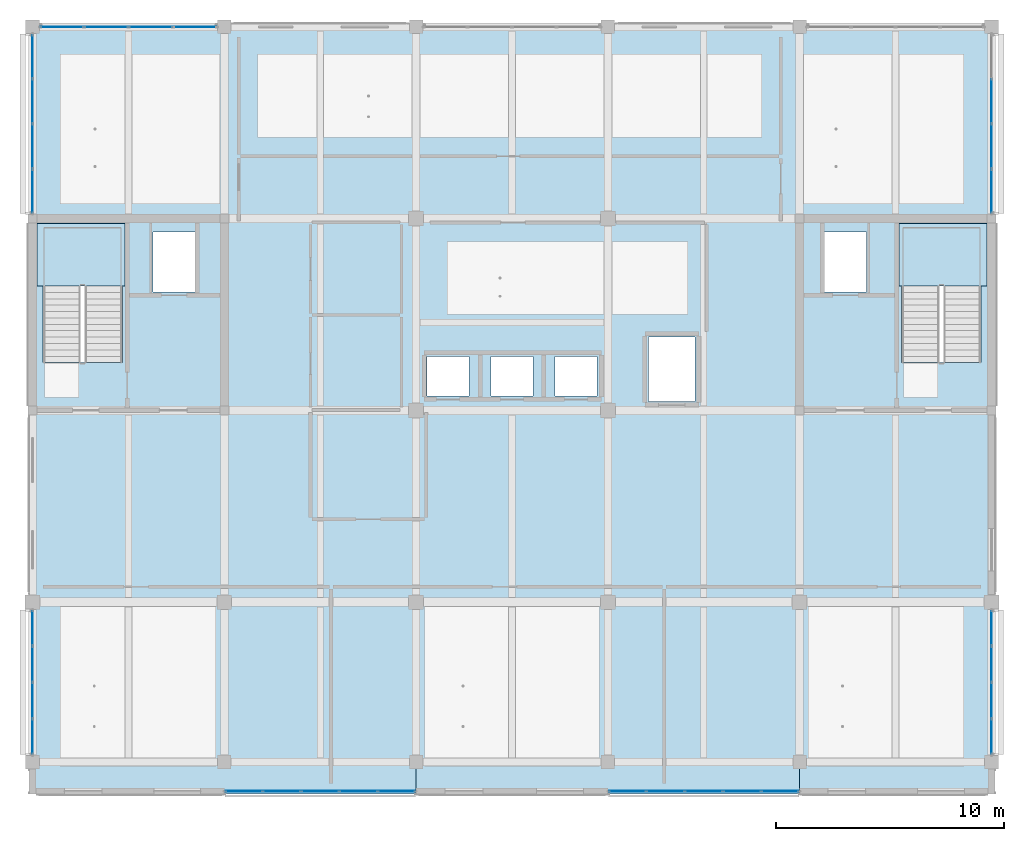
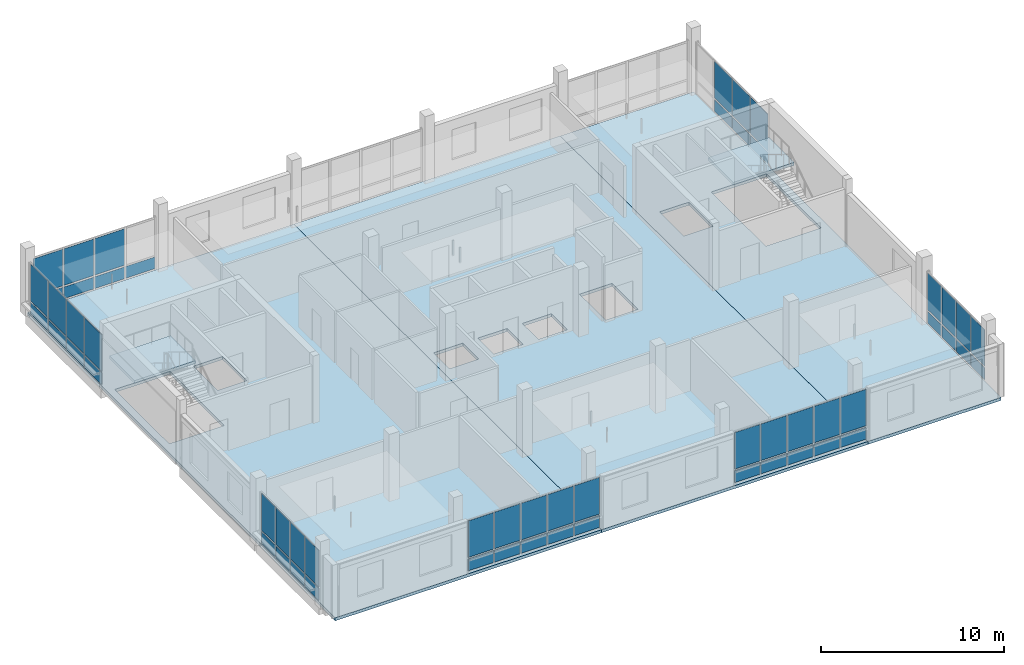
# One storey, part 10 of 29: 57 plates, 5 slabs, 9 elements without a shape of their own.
"""IFC4 building model written with IfcOpenShell, lengths in metres."""

from ifc_helpers import new_model, si_unit, direction, frame, origin, origin_2d, place, context, subcontext, project, spatial, polyline, rectangle, outline, extrude, material, layer, layer_set, type_object, element, aggregate, save


model = new_model("IFC4")

# Units and contexts
model_context = context("Model", 3, precision=1e-05, world=origin(), true_north=direction((0.0, 1.0)))
body_context = subcontext(model_context, "Body", "Model", "MODEL_VIEW")
ifc_project = project(units=[si_unit("LENGTHUNIT", "METRE"), si_unit("AREAUNIT", "SQUARE_METRE"), si_unit("VOLUMEUNIT", "CUBIC_METRE"), si_unit("PLANEANGLEUNIT", "RADIAN"), si_unit("MASSUNIT", "GRAM", prefix="KILO")], contexts=[model_context])

# Site, building, storey
site_placement = place(None, origin())
site = spatial("IfcSite", under=ifc_project, at=site_placement, CompositionType="ELEMENT")
building_placement = place(site_placement, origin())
building = spatial("IfcBuilding", under=site, at=building_placement, Name="Telukmera Botanical Conservatory", CompositionType="ELEMENT")
storey_placement = place(building_placement, frame((0.0, 0.0, 55.5)))
storey = spatial("IfcBuildingStorey", under=building, at=storey_placement, Name="L12", CompositionType="ELEMENT", Elevation=55.5)

# Stair, slab
ifc_material_1 = material(Name="Concrete C40/50", Category="concrete")
stair_type = type_object("IfcStairType", Name="ST-ESC-4500", PredefinedType="HALF_TURN_STAIR", material=ifc_material_1)
stair_1_placement = place(storey_placement, origin())
stair_1 = element("IfcStair", 1, at=stair_1_placement, inside=storey, type_object=stair_type, Name="L12 Protected Escape Stair ST1", PredefinedType="HALF_TURN_STAIR")
ifc_layer_1 = layer(ifc_material_1, 0.199951171875)
ifc_layer_set_1 = layer_set([ifc_layer_1], Name="Concrete C40/50")
slab_type_1 = type_object("IfcSlabType", Name="SL-LAND-200", PredefinedType="LANDING", material=ifc_layer_set_1)
slab_1_placement = place(storey_placement, frame((0.0, 0.0, 2.050048828125)))
slab_1 = element("IfcSlab", 2, at=slab_1_placement, type_object=slab_type_1, Name="ST1 landing 1", PredefinedType="LANDING", context=body_context, shape_type="SweptSolid", body=[
    extrude(outline(polyline([(59.0048828125, 31.449951171875), (62.844970703125, 31.449951171875), (62.844970703125, 34.195068359375), (59.0048828125, 34.195068359375), (59.0048828125, 31.449951171875)])), origin(), (0.0, 0.0, 1.0), 0.199951171875),
])
aggregate(stair_1, [slab_1])

stair_2_placement = place(storey_placement, origin())
stair_2 = element("IfcStair", 3, at=stair_2_placement, inside=storey, type_object=stair_type, Name="L12 Protected Escape Stair ST2", PredefinedType="HALF_TURN_STAIR")
slab_2_placement = place(storey_placement, frame((0.0, 0.0, 2.050048828125)))
slab_2 = element("IfcSlab", 4, at=slab_2_placement, type_object=slab_type_1, Name="ST2 landing 1", PredefinedType="LANDING", context=body_context, shape_type="SweptSolid", body=[
    extrude(outline(polyline([(96.7548828125, 31.449951171875), (100.594970703125, 31.449951171875), (100.594970703125, 34.195068359375), (96.7548828125, 34.195068359375), (96.7548828125, 31.449951171875)])), origin(), (0.0, 0.0, 1.0), 0.199951171875),
])
aggregate(stair_2, [slab_2])

# Slabs
ifc_layer_2 = layer(ifc_material_1, 0.199951171875)
ifc_layer_set_2 = layer_set([ifc_layer_2], Name="Concrete C40/50")
slab_type_2 = type_object("IfcSlabType", Name="Slab_FS20", PredefinedType="FLOOR", material=ifc_layer_set_2)
slab_3_placement = place(storey_placement, frame((0.0, 0.0, -0.199951171875)))
element("IfcSlab", 5, at=slab_3_placement, inside=storey, type_object=slab_type_2, Name="Tower Floor Slab L12 (WEST)", PredefinedType="FLOOR", context=body_context, shape_type="SweptSolid", body=[
    extrude(outline(polyline([(58.800048828125, 9.199951171875), (75.60009765625, 9.199951171875), (75.60009765625, 42.800048828125), (58.800048828125, 42.800048828125), (58.800048828125, 9.199951171875)]), holes=[polyline([(62.72998046875, 28.093017578125), (62.72998046875, 34.050048828125), (59.25, 34.050048828125), (59.25, 28.093017578125), (62.72998046875, 28.093017578125)]), polyline([(64.080078125, 31.179931640625), (65.919921875, 31.179931640625), (65.919921875, 33.820068359375), (64.080078125, 33.820068359375), (64.080078125, 31.179931640625)])]), origin(), (0.0, 0.0, 1.0), 0.199951171875),
])
slab_4_placement = place(storey_placement, frame((0.0, 0.0, -0.199951171875)))
element("IfcSlab", 6, at=slab_4_placement, inside=storey, type_object=slab_type_2, Name="Tower Floor Slab L12 (CENT)", PredefinedType="FLOOR", context=body_context, shape_type="SweptSolid", body=[
    extrude(outline(polyline([(75.60009765625, 9.199951171875), (92.39990234375, 9.199951171875), (92.39990234375, 42.800048828125), (75.60009765625, 42.800048828125), (75.60009765625, 9.199951171875)]), holes=[polyline([(85.780029296875, 26.3798828125), (87.820068359375, 26.3798828125), (87.820068359375, 29.219970703125), (85.780029296875, 29.219970703125), (85.780029296875, 26.3798828125)]), polyline([(76.080078125, 26.6298828125), (77.919921875, 26.6298828125), (77.919921875, 28.3701171875), (76.080078125, 28.3701171875), (76.080078125, 26.6298828125)]), polyline([(78.8798828125, 26.6298828125), (80.719970703125, 26.6298828125), (80.719970703125, 28.3701171875), (78.8798828125, 28.3701171875), (78.8798828125, 26.6298828125)]), polyline([(81.679931640625, 26.6298828125), (83.52001953125, 26.6298828125), (83.52001953125, 28.3701171875), (81.679931640625, 28.3701171875), (81.679931640625, 26.6298828125)])]), origin(), (0.0, 0.0, 1.0), 0.199951171875),
])
slab_5_placement = place(storey_placement, frame((0.0, 0.0, -0.199951171875)))
element("IfcSlab", 7, at=slab_5_placement, inside=storey, type_object=slab_type_2, Name="Tower Floor Slab L12 (EAST)", PredefinedType="FLOOR", context=body_context, shape_type="SweptSolid", body=[
    extrude(outline(polyline([(92.39990234375, 9.199951171875), (100.800048828125, 9.199951171875), (100.800048828125, 42.800048828125), (92.39990234375, 42.800048828125), (92.39990234375, 9.199951171875)]), holes=[polyline([(100.35009765625, 28.093017578125), (100.35009765625, 34.050048828125), (96.8701171875, 34.050048828125), (96.8701171875, 28.093017578125), (100.35009765625, 28.093017578125)]), polyline([(93.47998046875, 31.179931640625), (95.320068359375, 31.179931640625), (95.320068359375, 33.820068359375), (93.47998046875, 33.820068359375), (93.47998046875, 31.179931640625)])]), origin(), (0.0, 0.0, 1.0), 0.199951171875),
])

# Curtain wall, plates
ifc_material_2 = material(Name="Anodised aluminium 6063-T6", Category="aluminium")
ifc_layer_3 = layer(ifc_material_2, 0.179931640625)
ifc_layer_set_3 = layer_set([ifc_layer_3], Name="Anodised aluminium 6063-T6")
curtain_wall_type = type_object("IfcCurtainWallType", Name="Tower Research Laboratory Unitised Curtain Wall", PredefinedType="USERDEFINED", material=ifc_layer_set_3)
curtain_wall_1_placement = place(storey_placement, origin())
curtain_wall_1 = element("IfcCurtainWall", 8, at=curtain_wall_1_placement, inside=storey, type_object=curtain_wall_type, Name="Unitised Curtain Wall CW15 V4:L12:S2", ObjectType="UNITISED CURTAIN WALL", PredefinedType="USERDEFINED")
ifc_material_3 = material(Name="Spectrally selective low-E double glazing", Category="glass")
ifc_layer_4 = layer(ifc_material_3, 0.028076171875)
ifc_layer_set_4 = layer_set([ifc_layer_4], Name="Spectrally selective low-E double glazing")
plate_type = type_object("IfcPlateType", Name="Spectrally Selective Vision Double Glazing Panel 28", PredefinedType="CURTAIN_PANEL", material=ifc_layer_set_4)
plate_1_placement = place(storey_placement, frame((68.056640625, 9.320068359375, 0.10986328125), z_axis=(0.0, 0.0, 1.0), x_axis=(1.0, 0.0, 0.0)))
plate_1 = element("IfcPlate", 9, at=plate_1_placement, type_object=plate_type, Name="CW15 panel 1.1", PredefinedType="CURTAIN_PANEL", context=body_context, shape_type="SweptSolid", body=[
    extrude(rectangle(XDim=1.589111328125, YDim=0.028076171875, at=origin_2d()), origin(), (0.0, 0.0, 1.0), 0.784912109375),
])
plate_2_placement = place(storey_placement, frame((68.056640625, 9.320068359375, 1.0048828125), z_axis=(0.0, 0.0, 1.0), x_axis=(1.0, 0.0, 0.0)))
plate_2 = element("IfcPlate", 10, at=plate_2_placement, type_object=plate_type, Name="CW15 panel 1.2", PredefinedType="CURTAIN_PANEL", context=body_context, shape_type="SweptSolid", body=[
    extrude(rectangle(XDim=1.589111328125, YDim=0.028076171875, at=origin_2d()), origin(), (0.0, 0.0, 1.0), 2.43505859375),
])
plate_3_placement = place(storey_placement, frame((69.720703125, 9.320068359375, 0.10986328125), z_axis=(0.0, 0.0, 1.0), x_axis=(1.0, 0.0, 0.0)))
plate_3 = element("IfcPlate", 11, at=plate_3_placement, type_object=plate_type, Name="CW15 panel 2.1", PredefinedType="CURTAIN_PANEL", context=body_context, shape_type="SweptSolid", body=[
    extrude(rectangle(XDim=1.619140625, YDim=0.028076171875, at=origin_2d()), origin(), (0.0, 0.0, 1.0), 0.784912109375),
])
plate_4_placement = place(storey_placement, frame((69.720703125, 9.320068359375, 1.0048828125), z_axis=(0.0, 0.0, 1.0), x_axis=(1.0, 0.0, 0.0)))
plate_4 = element("IfcPlate", 12, at=plate_4_placement, type_object=plate_type, Name="CW15 panel 2.2", PredefinedType="CURTAIN_PANEL", context=body_context, shape_type="SweptSolid", body=[
    extrude(rectangle(XDim=1.619140625, YDim=0.028076171875, at=origin_2d()), origin(), (0.0, 0.0, 1.0), 2.43505859375),
])
plate_5_placement = place(storey_placement, frame((71.39990234375, 9.320068359375, 0.10986328125), z_axis=(0.0, 0.0, 1.0), x_axis=(1.0, 0.0, 0.0)))
plate_5 = element("IfcPlate", 13, at=plate_5_placement, type_object=plate_type, Name="CW15 panel 3.1", PredefinedType="CURTAIN_PANEL", context=body_context, shape_type="SweptSolid", body=[
    extrude(rectangle(XDim=1.619140625, YDim=0.028076171875, at=origin_2d()), origin(), (0.0, 0.0, 1.0), 0.784912109375),
])
plate_6_placement = place(storey_placement, frame((71.39990234375, 9.320068359375, 1.0048828125), z_axis=(0.0, 0.0, 1.0), x_axis=(1.0, 0.0, 0.0)))
plate_6 = element("IfcPlate", 14, at=plate_6_placement, type_object=plate_type, Name="CW15 panel 3.2", PredefinedType="CURTAIN_PANEL", context=body_context, shape_type="SweptSolid", body=[
    extrude(rectangle(XDim=1.619140625, YDim=0.028076171875, at=origin_2d()), origin(), (0.0, 0.0, 1.0), 2.43505859375),
])
plate_7_placement = place(storey_placement, frame((73.0791015625, 9.320068359375, 0.10986328125), z_axis=(0.0, 0.0, 1.0), x_axis=(1.0, 0.0, 0.0)))
plate_7 = element("IfcPlate", 15, at=plate_7_placement, type_object=plate_type, Name="CW15 panel 4.1", PredefinedType="CURTAIN_PANEL", context=body_context, shape_type="SweptSolid", body=[
    extrude(rectangle(XDim=1.619140625, YDim=0.028076171875, at=origin_2d()), origin(), (0.0, 0.0, 1.0), 0.784912109375),
])
plate_8_placement = place(storey_placement, frame((73.0791015625, 9.320068359375, 1.0048828125), z_axis=(0.0, 0.0, 1.0), x_axis=(1.0, 0.0, 0.0)))
plate_8 = element("IfcPlate", 16, at=plate_8_placement, type_object=plate_type, Name="CW15 panel 4.2", PredefinedType="CURTAIN_PANEL", context=body_context, shape_type="SweptSolid", body=[
    extrude(rectangle(XDim=1.619140625, YDim=0.028076171875, at=origin_2d()), origin(), (0.0, 0.0, 1.0), 2.43505859375),
])
plate_9_placement = place(storey_placement, frame((74.743408203125, 9.320068359375, 0.10986328125), z_axis=(0.0, 0.0, 1.0), x_axis=(1.0, 0.0, 0.0)))
plate_9 = element("IfcPlate", 17, at=plate_9_placement, type_object=plate_type, Name="CW15 panel 5.1", PredefinedType="CURTAIN_PANEL", context=body_context, shape_type="SweptSolid", body=[
    extrude(rectangle(XDim=1.589111328125, YDim=0.028076171875, at=origin_2d()), origin(), (0.0, 0.0, 1.0), 0.784912109375),
])
plate_10_placement = place(storey_placement, frame((74.743408203125, 9.320068359375, 1.0048828125), z_axis=(0.0, 0.0, 1.0), x_axis=(1.0, 0.0, 0.0)))
plate_10 = element("IfcPlate", 18, at=plate_10_placement, type_object=plate_type, Name="CW15 panel 5.2", PredefinedType="CURTAIN_PANEL", context=body_context, shape_type="SweptSolid", body=[
    extrude(rectangle(XDim=1.589111328125, YDim=0.028076171875, at=origin_2d()), origin(), (0.0, 0.0, 1.0), 2.43505859375),
])
aggregate(curtain_wall_1, [plate_1, plate_2, plate_3, plate_4, plate_5, plate_6, plate_7, plate_8, plate_9, plate_10])

curtain_wall_2_placement = place(storey_placement, origin())
curtain_wall_2 = element("IfcCurtainWall", 19, at=curtain_wall_2_placement, inside=storey, type_object=curtain_wall_type, Name="Unitised Curtain Wall CW15 V4:L12:S4", ObjectType="UNITISED CURTAIN WALL", PredefinedType="USERDEFINED")
plate_11_placement = place(storey_placement, frame((84.856689453125, 9.320068359375, 0.10986328125), z_axis=(0.0, 0.0, 1.0), x_axis=(1.0, 0.0, 0.0)))
plate_11 = element("IfcPlate", 20, at=plate_11_placement, type_object=plate_type, Name="CW15 panel 1.1", PredefinedType="CURTAIN_PANEL", context=body_context, shape_type="SweptSolid", body=[
    extrude(rectangle(XDim=1.589111328125, YDim=0.028076171875, at=origin_2d()), origin(), (0.0, 0.0, 1.0), 0.784912109375),
])
plate_12_placement = place(storey_placement, frame((84.856689453125, 9.320068359375, 1.0048828125), z_axis=(0.0, 0.0, 1.0), x_axis=(1.0, 0.0, 0.0)))
plate_12 = element("IfcPlate", 21, at=plate_12_placement, type_object=plate_type, Name="CW15 panel 1.2", PredefinedType="CURTAIN_PANEL", context=body_context, shape_type="SweptSolid", body=[
    extrude(rectangle(XDim=1.589111328125, YDim=0.028076171875, at=origin_2d()), origin(), (0.0, 0.0, 1.0), 2.43505859375),
])
plate_13_placement = place(storey_placement, frame((86.520751953125, 9.320068359375, 0.10986328125), z_axis=(0.0, 0.0, 1.0), x_axis=(1.0, 0.0, 0.0)))
plate_13 = element("IfcPlate", 22, at=plate_13_placement, type_object=plate_type, Name="CW15 panel 2.1", PredefinedType="CURTAIN_PANEL", context=body_context, shape_type="SweptSolid", body=[
    extrude(rectangle(XDim=1.619140625, YDim=0.028076171875, at=origin_2d()), origin(), (0.0, 0.0, 1.0), 0.784912109375),
])
plate_14_placement = place(storey_placement, frame((86.520751953125, 9.320068359375, 1.0048828125), z_axis=(0.0, 0.0, 1.0), x_axis=(1.0, 0.0, 0.0)))
plate_14 = element("IfcPlate", 23, at=plate_14_placement, type_object=plate_type, Name="CW15 panel 2.2", PredefinedType="CURTAIN_PANEL", context=body_context, shape_type="SweptSolid", body=[
    extrude(rectangle(XDim=1.619140625, YDim=0.028076171875, at=origin_2d()), origin(), (0.0, 0.0, 1.0), 2.43505859375),
])
plate_15_placement = place(storey_placement, frame((88.199951171875, 9.320068359375, 0.10986328125), z_axis=(0.0, 0.0, 1.0), x_axis=(1.0, 0.0, 0.0)))
plate_15 = element("IfcPlate", 24, at=plate_15_placement, type_object=plate_type, Name="CW15 panel 3.1", PredefinedType="CURTAIN_PANEL", context=body_context, shape_type="SweptSolid", body=[
    extrude(rectangle(XDim=1.619140625, YDim=0.028076171875, at=origin_2d()), origin(), (0.0, 0.0, 1.0), 0.784912109375),
])
plate_16_placement = place(storey_placement, frame((88.199951171875, 9.320068359375, 1.0048828125), z_axis=(0.0, 0.0, 1.0), x_axis=(1.0, 0.0, 0.0)))
plate_16 = element("IfcPlate", 25, at=plate_16_placement, type_object=plate_type, Name="CW15 panel 3.2", PredefinedType="CURTAIN_PANEL", context=body_context, shape_type="SweptSolid", body=[
    extrude(rectangle(XDim=1.619140625, YDim=0.028076171875, at=origin_2d()), origin(), (0.0, 0.0, 1.0), 2.43505859375),
])
plate_17_placement = place(storey_placement, frame((89.879150390625, 9.320068359375, 0.10986328125), z_axis=(0.0, 0.0, 1.0), x_axis=(1.0, 0.0, 0.0)))
plate_17 = element("IfcPlate", 26, at=plate_17_placement, type_object=plate_type, Name="CW15 panel 4.1", PredefinedType="CURTAIN_PANEL", context=body_context, shape_type="SweptSolid", body=[
    extrude(rectangle(XDim=1.619140625, YDim=0.028076171875, at=origin_2d()), origin(), (0.0, 0.0, 1.0), 0.784912109375),
])
plate_18_placement = place(storey_placement, frame((89.879150390625, 9.320068359375, 1.0048828125), z_axis=(0.0, 0.0, 1.0), x_axis=(1.0, 0.0, 0.0)))
plate_18 = element("IfcPlate", 27, at=plate_18_placement, type_object=plate_type, Name="CW15 panel 4.2", PredefinedType="CURTAIN_PANEL", context=body_context, shape_type="SweptSolid", body=[
    extrude(rectangle(XDim=1.619140625, YDim=0.028076171875, at=origin_2d()), origin(), (0.0, 0.0, 1.0), 2.43505859375),
])
plate_19_placement = place(storey_placement, frame((91.54345703125, 9.320068359375, 0.10986328125), z_axis=(0.0, 0.0, 1.0), x_axis=(1.0, 0.0, 0.0)))
plate_19 = element("IfcPlate", 28, at=plate_19_placement, type_object=plate_type, Name="CW15 panel 5.1", PredefinedType="CURTAIN_PANEL", context=body_context, shape_type="SweptSolid", body=[
    extrude(rectangle(XDim=1.589111328125, YDim=0.028076171875, at=origin_2d()), origin(), (0.0, 0.0, 1.0), 0.784912109375),
])
plate_20_placement = place(storey_placement, frame((91.54345703125, 9.320068359375, 1.0048828125), z_axis=(0.0, 0.0, 1.0), x_axis=(1.0, 0.0, 0.0)))
plate_20 = element("IfcPlate", 29, at=plate_20_placement, type_object=plate_type, Name="CW15 panel 5.2", PredefinedType="CURTAIN_PANEL", context=body_context, shape_type="SweptSolid", body=[
    extrude(rectangle(XDim=1.589111328125, YDim=0.028076171875, at=origin_2d()), origin(), (0.0, 0.0, 1.0), 2.43505859375),
])
aggregate(curtain_wall_2, [plate_11, plate_12, plate_13, plate_14, plate_15, plate_16, plate_17, plate_18, plate_19, plate_20])

curtain_wall_3_placement = place(storey_placement, origin())
curtain_wall_3 = element("IfcCurtainWall", 30, at=curtain_wall_3_placement, inside=storey, type_object=curtain_wall_type, Name="Unitised Curtain Wall CW15 V4:L12:N1", ObjectType="UNITISED CURTAIN WALL", PredefinedType="USERDEFINED")
plate_21_placement = place(storey_placement, frame((60.091552734375, 42.800048828125, 0.10986328125), z_axis=(0.0, 0.0, 1.0), x_axis=(1.0, 0.0, 0.0)))
plate_21 = element("IfcPlate", 31, at=plate_21_placement, type_object=plate_type, Name="CW15 panel 1.1", PredefinedType="CURTAIN_PANEL", context=body_context, shape_type="SweptSolid", body=[
    extrude(rectangle(XDim=1.85888671875, YDim=0.028076171875, at=origin_2d()), origin(), (0.0, 0.0, 1.0), 0.784912109375),
])
plate_22_placement = place(storey_placement, frame((60.091552734375, 42.800048828125, 1.0048828125), z_axis=(0.0, 0.0, 1.0), x_axis=(1.0, 0.0, 0.0)))
plate_22 = element("IfcPlate", 32, at=plate_22_placement, type_object=plate_type, Name="CW15 panel 1.2", PredefinedType="CURTAIN_PANEL", context=body_context, shape_type="SweptSolid", body=[
    extrude(rectangle(XDim=1.85888671875, YDim=0.028076171875, at=origin_2d()), origin(), (0.0, 0.0, 1.0), 2.43505859375),
])
plate_23_placement = place(storey_placement, frame((62.025390625, 42.800048828125, 0.10986328125), z_axis=(0.0, 0.0, 1.0), x_axis=(1.0, 0.0, 0.0)))
plate_23 = element("IfcPlate", 33, at=plate_23_placement, type_object=plate_type, Name="CW15 panel 2.1", PredefinedType="CURTAIN_PANEL", context=body_context, shape_type="SweptSolid", body=[
    extrude(rectangle(XDim=1.888916015625, YDim=0.028076171875, at=origin_2d()), origin(), (0.0, 0.0, 1.0), 0.784912109375),
])
plate_24_placement = place(storey_placement, frame((62.025390625, 42.800048828125, 1.0048828125), z_axis=(0.0, 0.0, 1.0), x_axis=(1.0, 0.0, 0.0)))
plate_24 = element("IfcPlate", 34, at=plate_24_placement, type_object=plate_type, Name="CW15 panel 2.2", PredefinedType="CURTAIN_PANEL", context=body_context, shape_type="SweptSolid", body=[
    extrude(rectangle(XDim=1.888916015625, YDim=0.028076171875, at=origin_2d()), origin(), (0.0, 0.0, 1.0), 2.43505859375),
])
plate_25_placement = place(storey_placement, frame((63.974609375, 42.800048828125, 0.10986328125), z_axis=(0.0, 0.0, 1.0), x_axis=(1.0, 0.0, 0.0)))
plate_25 = element("IfcPlate", 35, at=plate_25_placement, type_object=plate_type, Name="CW15 panel 3.1", PredefinedType="CURTAIN_PANEL", context=body_context, shape_type="SweptSolid", body=[
    extrude(rectangle(XDim=1.888916015625, YDim=0.028076171875, at=origin_2d()), origin(), (0.0, 0.0, 1.0), 0.784912109375),
])
plate_26_placement = place(storey_placement, frame((63.974609375, 42.800048828125, 1.0048828125), z_axis=(0.0, 0.0, 1.0), x_axis=(1.0, 0.0, 0.0)))
plate_26 = element("IfcPlate", 36, at=plate_26_placement, type_object=plate_type, Name="CW15 panel 3.2", PredefinedType="CURTAIN_PANEL", context=body_context, shape_type="SweptSolid", body=[
    extrude(rectangle(XDim=1.888916015625, YDim=0.028076171875, at=origin_2d()), origin(), (0.0, 0.0, 1.0), 2.43505859375),
])
plate_27_placement = place(storey_placement, frame((65.908447265625, 42.800048828125, 0.10986328125), z_axis=(0.0, 0.0, 1.0), x_axis=(1.0, 0.0, 0.0)))
plate_27 = element("IfcPlate", 37, at=plate_27_placement, type_object=plate_type, Name="CW15 panel 4.1", PredefinedType="CURTAIN_PANEL", context=body_context, shape_type="SweptSolid", body=[
    extrude(rectangle(XDim=1.85888671875, YDim=0.028076171875, at=origin_2d()), origin(), (0.0, 0.0, 1.0), 0.784912109375),
])
aggregate(curtain_wall_3, [plate_21, plate_22, plate_23, plate_24, plate_25, plate_26, plate_27])

curtain_wall_4_placement = place(storey_placement, origin())
curtain_wall_4 = element("IfcCurtainWall", 38, at=curtain_wall_4_placement, inside=storey, type_object=curtain_wall_type, Name="Unitised Curtain Wall CW15 V4:L12:W1", ObjectType="UNITISED CURTAIN WALL", PredefinedType="USERDEFINED")
plate_28_placement = place(storey_placement, frame((58.800048828125, 11.71337890625, 0.10986328125), z_axis=(0.0, 0.0, 1.0), x_axis=(0.0, 1.0, 0.0)))
plate_28 = element("IfcPlate", 39, at=plate_28_placement, type_object=plate_type, Name="CW15 panel 1.1", PredefinedType="CURTAIN_PANEL", context=body_context, shape_type="SweptSolid", body=[
    extrude(rectangle(XDim=1.502685546875, YDim=0.028076171875, at=origin_2d()), origin(), (0.0, 0.0, 1.0), 0.784912109375),
])
plate_29_placement = place(storey_placement, frame((58.800048828125, 11.71337890625, 1.0048828125), z_axis=(0.0, 0.0, 1.0), x_axis=(0.0, 1.0, 0.0)))
plate_29 = element("IfcPlate", 40, at=plate_29_placement, type_object=plate_type, Name="CW15 panel 1.2", PredefinedType="CURTAIN_PANEL", context=body_context, shape_type="SweptSolid", body=[
    extrude(rectangle(XDim=1.502685546875, YDim=0.028076171875, at=origin_2d()), origin(), (0.0, 0.0, 1.0), 2.43505859375),
])
plate_30_placement = place(storey_placement, frame((58.800048828125, 13.291015625, 0.10986328125), z_axis=(0.0, 0.0, 1.0), x_axis=(0.0, 1.0, 0.0)))
plate_30 = element("IfcPlate", 41, at=plate_30_placement, type_object=plate_type, Name="CW15 panel 2.1", PredefinedType="CURTAIN_PANEL", context=body_context, shape_type="SweptSolid", body=[
    extrude(rectangle(XDim=1.53271484375, YDim=0.028076171875, at=origin_2d()), origin(), (0.0, 0.0, 1.0), 0.784912109375),
])
plate_31_placement = place(storey_placement, frame((58.800048828125, 13.291015625, 1.0048828125), z_axis=(0.0, 0.0, 1.0), x_axis=(0.0, 1.0, 0.0)))
plate_31 = element("IfcPlate", 42, at=plate_31_placement, type_object=plate_type, Name="CW15 panel 2.2", PredefinedType="CURTAIN_PANEL", context=body_context, shape_type="SweptSolid", body=[
    extrude(rectangle(XDim=1.53271484375, YDim=0.028076171875, at=origin_2d()), origin(), (0.0, 0.0, 1.0), 2.43505859375),
])
plate_32_placement = place(storey_placement, frame((58.800048828125, 14.8837890625, 0.10986328125), z_axis=(0.0, 0.0, 1.0), x_axis=(0.0, 1.0, 0.0)))
plate_32 = element("IfcPlate", 43, at=plate_32_placement, type_object=plate_type, Name="CW15 panel 3.1", PredefinedType="CURTAIN_PANEL", context=body_context, shape_type="SweptSolid", body=[
    extrude(rectangle(XDim=1.53271484375, YDim=0.028076171875, at=origin_2d()), origin(), (0.0, 0.0, 1.0), 0.784912109375),
])
plate_33_placement = place(storey_placement, frame((58.800048828125, 14.8837890625, 1.0048828125), z_axis=(0.0, 0.0, 1.0), x_axis=(0.0, 1.0, 0.0)))
plate_33 = element("IfcPlate", 44, at=plate_33_placement, type_object=plate_type, Name="CW15 panel 3.2", PredefinedType="CURTAIN_PANEL", context=body_context, shape_type="SweptSolid", body=[
    extrude(rectangle(XDim=1.53271484375, YDim=0.028076171875, at=origin_2d()), origin(), (0.0, 0.0, 1.0), 2.43505859375),
])
plate_34_placement = place(storey_placement, frame((58.800048828125, 16.461669921875, 0.10986328125), z_axis=(0.0, 0.0, 1.0), x_axis=(0.0, 1.0, 0.0)))
plate_34 = element("IfcPlate", 45, at=plate_34_placement, type_object=plate_type, Name="CW15 panel 4.1", PredefinedType="CURTAIN_PANEL", context=body_context, shape_type="SweptSolid", body=[
    extrude(rectangle(XDim=1.502685546875, YDim=0.028076171875, at=origin_2d()), origin(), (0.0, 0.0, 1.0), 0.784912109375),
])
plate_35_placement = place(storey_placement, frame((58.800048828125, 16.461669921875, 1.0048828125), z_axis=(0.0, 0.0, 1.0), x_axis=(0.0, 1.0, 0.0)))
plate_35 = element("IfcPlate", 46, at=plate_35_placement, type_object=plate_type, Name="CW15 panel 4.2", PredefinedType="CURTAIN_PANEL", context=body_context, shape_type="SweptSolid", body=[
    extrude(rectangle(XDim=1.502685546875, YDim=0.028076171875, at=origin_2d()), origin(), (0.0, 0.0, 1.0), 2.43505859375),
])
aggregate(curtain_wall_4, [plate_28, plate_29, plate_30, plate_31, plate_32, plate_33, plate_34, plate_35])

curtain_wall_5_placement = place(storey_placement, origin())
curtain_wall_5 = element("IfcCurtainWall", 47, at=curtain_wall_5_placement, inside=storey, type_object=curtain_wall_type, Name="Unitised Curtain Wall CW15 V4:L12:E1", ObjectType="UNITISED CURTAIN WALL", PredefinedType="USERDEFINED")
plate_36_placement = place(storey_placement, frame((100.800048828125, 11.71337890625, 0.10986328125), z_axis=(0.0, 0.0, 1.0), x_axis=(0.0, 1.0, 0.0)))
plate_36 = element("IfcPlate", 48, at=plate_36_placement, type_object=plate_type, Name="CW15 panel 1.1", PredefinedType="CURTAIN_PANEL", context=body_context, shape_type="SweptSolid", body=[
    extrude(rectangle(XDim=1.502685546875, YDim=0.028076171875, at=origin_2d()), origin(), (0.0, 0.0, 1.0), 0.784912109375),
])
plate_37_placement = place(storey_placement, frame((100.800048828125, 11.71337890625, 1.0048828125), z_axis=(0.0, 0.0, 1.0), x_axis=(0.0, 1.0, 0.0)))
plate_37 = element("IfcPlate", 49, at=plate_37_placement, type_object=plate_type, Name="CW15 panel 1.2", PredefinedType="CURTAIN_PANEL", context=body_context, shape_type="SweptSolid", body=[
    extrude(rectangle(XDim=1.502685546875, YDim=0.028076171875, at=origin_2d()), origin(), (0.0, 0.0, 1.0), 2.43505859375),
])
plate_38_placement = place(storey_placement, frame((100.800048828125, 13.291015625, 0.10986328125), z_axis=(0.0, 0.0, 1.0), x_axis=(0.0, 1.0, 0.0)))
plate_38 = element("IfcPlate", 50, at=plate_38_placement, type_object=plate_type, Name="CW15 panel 2.1", PredefinedType="CURTAIN_PANEL", context=body_context, shape_type="SweptSolid", body=[
    extrude(rectangle(XDim=1.53271484375, YDim=0.028076171875, at=origin_2d()), origin(), (0.0, 0.0, 1.0), 0.784912109375),
])
plate_39_placement = place(storey_placement, frame((100.800048828125, 13.291015625, 1.0048828125), z_axis=(0.0, 0.0, 1.0), x_axis=(0.0, 1.0, 0.0)))
plate_39 = element("IfcPlate", 51, at=plate_39_placement, type_object=plate_type, Name="CW15 panel 2.2", PredefinedType="CURTAIN_PANEL", context=body_context, shape_type="SweptSolid", body=[
    extrude(rectangle(XDim=1.53271484375, YDim=0.028076171875, at=origin_2d()), origin(), (0.0, 0.0, 1.0), 2.43505859375),
])
plate_40_placement = place(storey_placement, frame((100.800048828125, 14.8837890625, 0.10986328125), z_axis=(0.0, 0.0, 1.0), x_axis=(0.0, 1.0, 0.0)))
plate_40 = element("IfcPlate", 52, at=plate_40_placement, type_object=plate_type, Name="CW15 panel 3.1", PredefinedType="CURTAIN_PANEL", context=body_context, shape_type="SweptSolid", body=[
    extrude(rectangle(XDim=1.53271484375, YDim=0.028076171875, at=origin_2d()), origin(), (0.0, 0.0, 1.0), 0.784912109375),
])
plate_41_placement = place(storey_placement, frame((100.800048828125, 14.8837890625, 1.0048828125), z_axis=(0.0, 0.0, 1.0), x_axis=(0.0, 1.0, 0.0)))
plate_41 = element("IfcPlate", 53, at=plate_41_placement, type_object=plate_type, Name="CW15 panel 3.2", PredefinedType="CURTAIN_PANEL", context=body_context, shape_type="SweptSolid", body=[
    extrude(rectangle(XDim=1.53271484375, YDim=0.028076171875, at=origin_2d()), origin(), (0.0, 0.0, 1.0), 2.43505859375),
])
plate_42_placement = place(storey_placement, frame((100.800048828125, 16.461669921875, 0.10986328125), z_axis=(0.0, 0.0, 1.0), x_axis=(0.0, 1.0, 0.0)))
plate_42 = element("IfcPlate", 54, at=plate_42_placement, type_object=plate_type, Name="CW15 panel 4.1", PredefinedType="CURTAIN_PANEL", context=body_context, shape_type="SweptSolid", body=[
    extrude(rectangle(XDim=1.502685546875, YDim=0.028076171875, at=origin_2d()), origin(), (0.0, 0.0, 1.0), 0.784912109375),
])
plate_43_placement = place(storey_placement, frame((100.800048828125, 16.461669921875, 1.0048828125), z_axis=(0.0, 0.0, 1.0), x_axis=(0.0, 1.0, 0.0)))
plate_43 = element("IfcPlate", 55, at=plate_43_placement, type_object=plate_type, Name="CW15 panel 4.2", PredefinedType="CURTAIN_PANEL", context=body_context, shape_type="SweptSolid", body=[
    extrude(rectangle(XDim=1.502685546875, YDim=0.028076171875, at=origin_2d()), origin(), (0.0, 0.0, 1.0), 2.43505859375),
])
aggregate(curtain_wall_5, [plate_36, plate_37, plate_38, plate_39, plate_40, plate_41, plate_42, plate_43])

curtain_wall_6_placement = place(storey_placement, origin())
curtain_wall_6 = element("IfcCurtainWall", 56, at=curtain_wall_6_placement, inside=storey, type_object=curtain_wall_type, Name="Unitised Curtain Wall CW15 V4:L12:W4", ObjectType="UNITISED CURTAIN WALL", PredefinedType="USERDEFINED")
plate_44_placement = place(storey_placement, frame((58.800048828125, 35.60400390625, 0.10986328125), z_axis=(0.0, 0.0, 1.0), x_axis=(0.0, 1.0, 0.0)))
plate_44 = element("IfcPlate", 57, at=plate_44_placement, type_object=plate_type, Name="CW15 panel 1.1", PredefinedType="CURTAIN_PANEL", context=body_context, shape_type="SweptSolid", body=[
    extrude(rectangle(XDim=1.884033203125, YDim=0.028076171875, at=origin_2d()), origin(), (0.0, 0.0, 1.0), 0.784912109375),
])
plate_45_placement = place(storey_placement, frame((58.800048828125, 35.60400390625, 1.0048828125), z_axis=(0.0, 0.0, 1.0), x_axis=(0.0, 1.0, 0.0)))
plate_45 = element("IfcPlate", 58, at=plate_45_placement, type_object=plate_type, Name="CW15 panel 1.2", PredefinedType="CURTAIN_PANEL", context=body_context, shape_type="SweptSolid", body=[
    extrude(rectangle(XDim=1.884033203125, YDim=0.028076171875, at=origin_2d()), origin(), (0.0, 0.0, 1.0), 2.43505859375),
])
plate_46_placement = place(storey_placement, frame((58.800048828125, 37.56298828125, 0.10986328125), z_axis=(0.0, 0.0, 1.0), x_axis=(0.0, 1.0, 0.0)))
plate_46 = element("IfcPlate", 59, at=plate_46_placement, type_object=plate_type, Name="CW15 panel 2.1", PredefinedType="CURTAIN_PANEL", context=body_context, shape_type="SweptSolid", body=[
    extrude(rectangle(XDim=1.9140625, YDim=0.028076171875, at=origin_2d()), origin(), (0.0, 0.0, 1.0), 0.784912109375),
])
plate_47_placement = place(storey_placement, frame((58.800048828125, 37.56298828125, 1.0048828125), z_axis=(0.0, 0.0, 1.0), x_axis=(0.0, 1.0, 0.0)))
plate_47 = element("IfcPlate", 60, at=plate_47_placement, type_object=plate_type, Name="CW15 panel 2.2", PredefinedType="CURTAIN_PANEL", context=body_context, shape_type="SweptSolid", body=[
    extrude(rectangle(XDim=1.9140625, YDim=0.028076171875, at=origin_2d()), origin(), (0.0, 0.0, 1.0), 2.43505859375),
])
plate_48_placement = place(storey_placement, frame((58.800048828125, 39.537109375, 0.10986328125), z_axis=(0.0, 0.0, 1.0), x_axis=(0.0, 1.0, 0.0)))
plate_48 = element("IfcPlate", 61, at=plate_48_placement, type_object=plate_type, Name="CW15 panel 3.1", PredefinedType="CURTAIN_PANEL", context=body_context, shape_type="SweptSolid", body=[
    extrude(rectangle(XDim=1.9140625, YDim=0.028076171875, at=origin_2d()), origin(), (0.0, 0.0, 1.0), 0.784912109375),
])
plate_49_placement = place(storey_placement, frame((58.800048828125, 39.537109375, 1.0048828125), z_axis=(0.0, 0.0, 1.0), x_axis=(0.0, 1.0, 0.0)))
plate_49 = element("IfcPlate", 62, at=plate_49_placement, type_object=plate_type, Name="CW15 panel 3.2", PredefinedType="CURTAIN_PANEL", context=body_context, shape_type="SweptSolid", body=[
    extrude(rectangle(XDim=1.9140625, YDim=0.028076171875, at=origin_2d()), origin(), (0.0, 0.0, 1.0), 2.43505859375),
])
plate_50_placement = place(storey_placement, frame((58.800048828125, 41.49609375, 0.10986328125), z_axis=(0.0, 0.0, 1.0), x_axis=(0.0, 1.0, 0.0)))
plate_50 = element("IfcPlate", 63, at=plate_50_placement, type_object=plate_type, Name="CW15 panel 4.1", PredefinedType="CURTAIN_PANEL", context=body_context, shape_type="SweptSolid", body=[
    extrude(rectangle(XDim=1.884033203125, YDim=0.028076171875, at=origin_2d()), origin(), (0.0, 0.0, 1.0), 0.784912109375),
])
plate_51_placement = place(storey_placement, frame((58.800048828125, 41.49609375, 1.0048828125), z_axis=(0.0, 0.0, 1.0), x_axis=(0.0, 1.0, 0.0)))
plate_51 = element("IfcPlate", 64, at=plate_51_placement, type_object=plate_type, Name="CW15 panel 4.2", PredefinedType="CURTAIN_PANEL", context=body_context, shape_type="SweptSolid", body=[
    extrude(rectangle(XDim=1.884033203125, YDim=0.028076171875, at=origin_2d()), origin(), (0.0, 0.0, 1.0), 2.43505859375),
])
aggregate(curtain_wall_6, [plate_44, plate_45, plate_46, plate_47, plate_48, plate_49, plate_50, plate_51])

curtain_wall_7_placement = place(storey_placement, origin())
curtain_wall_7 = element("IfcCurtainWall", 65, at=curtain_wall_7_placement, inside=storey, type_object=curtain_wall_type, Name="Unitised Curtain Wall CW15 V4:L12:E4", ObjectType="UNITISED CURTAIN WALL", PredefinedType="USERDEFINED")
plate_52_placement = place(storey_placement, frame((100.800048828125, 35.60400390625, 0.10986328125), z_axis=(0.0, 0.0, 1.0), x_axis=(0.0, 1.0, 0.0)))
plate_52 = element("IfcPlate", 66, at=plate_52_placement, type_object=plate_type, Name="CW15 panel 1.1", PredefinedType="CURTAIN_PANEL", context=body_context, shape_type="SweptSolid", body=[
    extrude(rectangle(XDim=1.884033203125, YDim=0.028076171875, at=origin_2d()), origin(), (0.0, 0.0, 1.0), 0.784912109375),
])
plate_53_placement = place(storey_placement, frame((100.800048828125, 35.60400390625, 1.0048828125), z_axis=(0.0, 0.0, 1.0), x_axis=(0.0, 1.0, 0.0)))
plate_53 = element("IfcPlate", 67, at=plate_53_placement, type_object=plate_type, Name="CW15 panel 1.2", PredefinedType="CURTAIN_PANEL", context=body_context, shape_type="SweptSolid", body=[
    extrude(rectangle(XDim=1.884033203125, YDim=0.028076171875, at=origin_2d()), origin(), (0.0, 0.0, 1.0), 2.43505859375),
])
plate_54_placement = place(storey_placement, frame((100.800048828125, 37.56298828125, 0.10986328125), z_axis=(0.0, 0.0, 1.0), x_axis=(0.0, 1.0, 0.0)))
plate_54 = element("IfcPlate", 68, at=plate_54_placement, type_object=plate_type, Name="CW15 panel 2.1", PredefinedType="CURTAIN_PANEL", context=body_context, shape_type="SweptSolid", body=[
    extrude(rectangle(XDim=1.9140625, YDim=0.028076171875, at=origin_2d()), origin(), (0.0, 0.0, 1.0), 0.784912109375),
])
plate_55_placement = place(storey_placement, frame((100.800048828125, 37.56298828125, 1.0048828125), z_axis=(0.0, 0.0, 1.0), x_axis=(0.0, 1.0, 0.0)))
plate_55 = element("IfcPlate", 69, at=plate_55_placement, type_object=plate_type, Name="CW15 panel 2.2", PredefinedType="CURTAIN_PANEL", context=body_context, shape_type="SweptSolid", body=[
    extrude(rectangle(XDim=1.9140625, YDim=0.028076171875, at=origin_2d()), origin(), (0.0, 0.0, 1.0), 2.43505859375),
])
plate_56_placement = place(storey_placement, frame((100.800048828125, 39.537109375, 0.10986328125), z_axis=(0.0, 0.0, 1.0), x_axis=(0.0, 1.0, 0.0)))
plate_56 = element("IfcPlate", 70, at=plate_56_placement, type_object=plate_type, Name="CW15 panel 3.1", PredefinedType="CURTAIN_PANEL", context=body_context, shape_type="SweptSolid", body=[
    extrude(rectangle(XDim=1.9140625, YDim=0.028076171875, at=origin_2d()), origin(), (0.0, 0.0, 1.0), 0.784912109375),
])
plate_57_placement = place(storey_placement, frame((100.800048828125, 39.537109375, 1.0048828125), z_axis=(0.0, 0.0, 1.0), x_axis=(0.0, 1.0, 0.0)))
plate_57 = element("IfcPlate", 71, at=plate_57_placement, type_object=plate_type, Name="CW15 panel 3.2", PredefinedType="CURTAIN_PANEL", context=body_context, shape_type="SweptSolid", body=[
    extrude(rectangle(XDim=1.9140625, YDim=0.028076171875, at=origin_2d()), origin(), (0.0, 0.0, 1.0), 2.43505859375),
])
aggregate(curtain_wall_7, [plate_52, plate_53, plate_54, plate_55, plate_56, plate_57])

save(model, "model.ifc")
